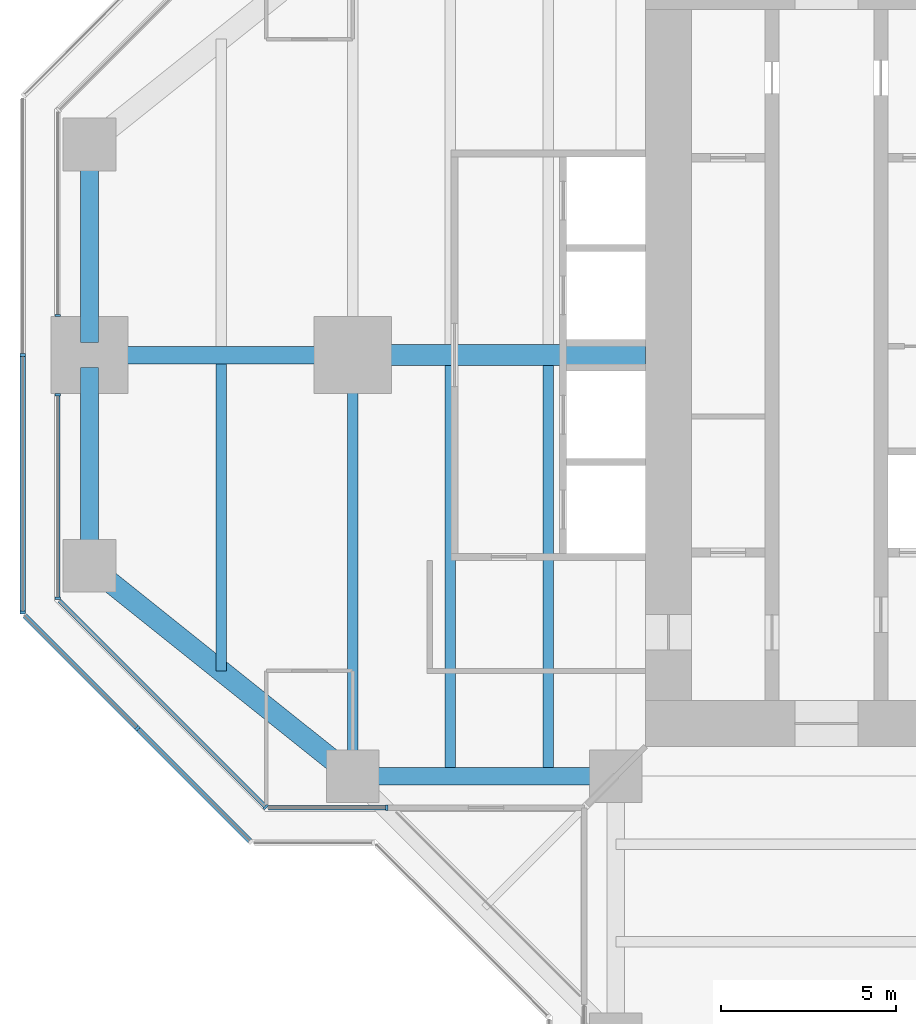
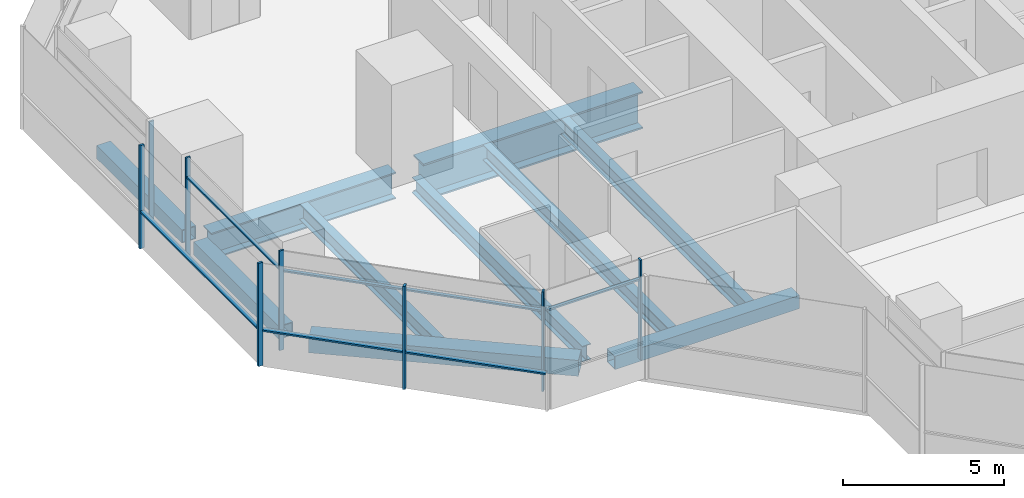
# One storey, part 3 of 17: 14 members, 10 beams, 6 elements without a shape of their own.
"""IFC4 building model written with IfcOpenShell, lengths in metres."""

from ifc_helpers import new_model, si_unit, direction, frame, origin, origin_2d, place, context, subcontext, project, spatial, rectangle, hollow_rectangle, i_section, extrude, material, material_profile, profile_set, type_object, element, aggregate, save


model = new_model("IFC4")

# Units and contexts
model_context = context("Model", 3, precision=1e-05, world=origin(), true_north=direction((0.0, 1.0)))
body_context = subcontext(model_context, "Body", "Model", "MODEL_VIEW")
ifc_project = project(units=[si_unit("LENGTHUNIT", "METRE"), si_unit("AREAUNIT", "SQUARE_METRE"), si_unit("VOLUMEUNIT", "CUBIC_METRE"), si_unit("PLANEANGLEUNIT", "RADIAN"), si_unit("MASSUNIT", "GRAM", prefix="KILO")], contexts=[model_context])

# Site, building, storey
site_placement = place(None, origin())
site = spatial("IfcSite", under=ifc_project, at=site_placement, CompositionType="ELEMENT")
building_placement = place(site_placement, origin())
building = spatial("IfcBuilding", under=site, at=building_placement, Name="Mizan Broadcast Tower", CompositionType="ELEMENT")
storey_placement = place(building_placement, frame((0.0, 0.0, 259.5)))
storey = spatial("IfcBuildingStorey", under=building, at=storey_placement, Name="L61", CompositionType="ELEMENT", Elevation=259.5)

# Beams
ifc_material_1 = material(Name="Steel S355", Category="steel")
ifc_material_profile_1 = material_profile(ifc_material_1, hollow_rectangle(XDim=0.5, YDim=0.5, WallThickness=0.030029296875, at=origin_2d()), Name="BOX 500x500x30")
ifc_profile_set_1 = profile_set([ifc_material_profile_1], Name="Steel S355")
beam_type_1 = type_object("IfcBeamType", Name="EDGE BEAM BOX 500x500x30", PredefinedType="SPANDREL", material=ifc_profile_set_1)
beam_1_placement = place(storey_placement, frame((-27.0, 5.639892578125, -0.3798828125), z_axis=(0.0, -1.0, 0.0), x_axis=(1.0, 0.0, 0.0)))
element("IfcBeam", 1, at=beam_1_placement, inside=storey, type_object=beam_type_1, Name="Edge beam BOX 500x500x30 L61 west arm", PredefinedType="SPANDREL", context=body_context, shape_type="SweptSolid", body=[
    extrude(hollow_rectangle(XDim=0.5, YDim=0.5, WallThickness=0.030029296875, at=origin_2d()), origin(), (0.0, 0.0, 1.0), 5.27978515625),
])
beam_2_placement = place(storey_placement, frame((-12.449951171875, -12.0, -0.3798828125), z_axis=(-1.0, 0.0, 0.0), x_axis=(0.0, -1.0, 0.0)))
element("IfcBeam", 2, at=beam_2_placement, inside=storey, type_object=beam_type_1, Name="Edge beam BOX 500x500x30 L61 west arm", PredefinedType="SPANDREL", context=body_context, shape_type="SweptSolid", body=[
    extrude(hollow_rectangle(XDim=0.5, YDim=0.5, WallThickness=0.030029296875, at=origin_2d()), origin(), (0.0, 0.0, 1.0), 6.60009765625),
])
beam_3_placement = place(storey_placement, frame((-27.0, -5.639892578125, -0.3798828125), z_axis=(0.0, 1.0, 0.0), x_axis=(-1.0, 0.0, 0.0)))
element("IfcBeam", 3, at=beam_3_placement, inside=storey, type_object=beam_type_1, Name="Edge beam BOX 500x500x30 L61 west arm", PredefinedType="SPANDREL", context=body_context, shape_type="SweptSolid", body=[
    extrude(hollow_rectangle(XDim=0.5, YDim=0.5, WallThickness=0.030029296875, at=origin_2d()), origin(), (0.0, 0.0, 1.0), 5.27978515625),
])
ifc_material_2 = material(Name="Steel S355", Category="steel")
ifc_material_profile_2 = material_profile(ifc_material_2, hollow_rectangle(XDim=0.60009765625, YDim=0.60009765625, WallThickness=0.030029296875, at=origin_2d()), Name="BOX 600x600x30")
ifc_profile_set_2 = profile_set([ifc_material_profile_2], Name="Steel S355")
beam_type_2 = type_object("IfcBeamType", Name="EDGE BEAM BOX 600x600x30", PredefinedType="SPANDREL", material=ifc_profile_set_2)
beam_4_placement = place(storey_placement, frame((-19.949951171875, -11.639892578125, -0.429931640625), z_axis=(-0.780885717636, 0.624673911726, 0.0), x_axis=(-0.624673911726, -0.780885717636, 0.0)))
element("IfcBeam", 4, at=beam_4_placement, inside=storey, type_object=beam_type_2, Name="Edge beam BOX 600x600x30 L61 west arm", PredefinedType="SPANDREL", context=body_context, shape_type="SweptSolid", body=[
    extrude(hollow_rectangle(XDim=0.60009765625, YDim=0.60009765625, WallThickness=0.030029296875, at=origin_2d()), origin(), (0.0, 0.0, 1.0), 8.4521484375),
])
ifc_material_3 = material(Name="Steel S355", Category="steel")
ifc_material_profile_3 = material_profile(ifc_material_3, i_section(OverallWidth=0.300048828125, OverallDepth=0.590087890625, WebThickness=0.012939453125, FlangeThickness=0.02490234375, FilletRadius=0.027099609375, at=origin_2d()), Name="HEA 600")
ifc_profile_set_3 = profile_set([ifc_material_profile_3], Name="Steel S355")
beam_type_3 = type_object("IfcBeamType", Name="GIRDER HEA 600", PredefinedType="BEAM", material=ifc_profile_set_3)
beam_5_placement = place(storey_placement, frame((-19.5, -11.280029296875, -0.425048828125), z_axis=(0.0, 1.0, 0.0), x_axis=(-1.0, 0.0, 0.0)))
element("IfcBeam", 5, at=beam_5_placement, inside=storey, type_object=beam_type_3, Name="Girder HEA 600 L61 west arm", PredefinedType="BEAM", context=body_context, shape_type="SweptSolid", body=[
    extrude(i_section(OverallWidth=0.300048828125, OverallDepth=0.590087890625, WebThickness=0.012939453125, FlangeThickness=0.02490234375, FilletRadius=0.027099609375, at=origin_2d()), origin(), (0.0, 0.0, 1.0), 10.56005859375),
])
ifc_material_4 = material(Name="Steel S460", Category="steel")
ifc_material_profile_4 = material_profile(ifc_material_4, i_section(OverallWidth=0.5, OverallDepth=1.0, WebThickness=0.02490234375, FlangeThickness=0.050048828125, at=origin_2d()), Name="WPG 1000x500")
ifc_profile_set_4 = profile_set([ifc_material_profile_4], Name="Steel S460")
beam_type_4 = type_object("IfcBeamType", Name="GIRDER WPG 1000x500", PredefinedType="BEAM", material=ifc_profile_set_4)
beam_6_placement = place(storey_placement, frame((-19.949951171875, 0.0, -0.6298828125), z_axis=(-1.0, 0.0, 0.0), x_axis=(0.0, -1.0, 0.0)))
element("IfcBeam", 6, at=beam_6_placement, inside=storey, type_object=beam_type_4, Name="Girder WPG 1000x500 L61 west arm", PredefinedType="BEAM", context=body_context, shape_type="SweptSolid", body=[
    extrude(i_section(OverallWidth=0.5, OverallDepth=1.0, WebThickness=0.02490234375, FlangeThickness=0.050048828125, at=origin_2d()), origin(), (0.0, 0.0, 1.0), 6.60009765625),
])
ifc_material_5 = material(Name="Steel S460", Category="steel")
ifc_material_profile_5 = material_profile(ifc_material_5, i_section(OverallWidth=0.60009765625, OverallDepth=1.39990234375, WebThickness=0.02490234375, FlangeThickness=0.06005859375, at=origin_2d()), Name="WPG 1400x600")
ifc_profile_set_5 = profile_set([ifc_material_profile_5], Name="Steel S460")
beam_type_5 = type_object("IfcBeamType", Name="GIRDER WPG 1400x600", PredefinedType="BEAM", material=ifc_profile_set_5)
beam_7_placement = place(storey_placement, frame((-11.14990234375, 0.0, -0.830078125), z_axis=(-1.0, 0.0, 0.0), x_axis=(0.0, -1.0, 0.0)))
element("IfcBeam", 7, at=beam_7_placement, inside=storey, type_object=beam_type_5, Name="Girder WPG 1400x600 L61 west arm", PredefinedType="BEAM", context=body_context, shape_type="SweptSolid", body=[
    extrude(i_section(OverallWidth=0.60009765625, OverallDepth=1.39990234375, WebThickness=0.02490234375, FlangeThickness=0.06005859375, at=origin_2d()), origin(), (0.0, 0.0, 1.0), 7.84912109375),
])

# Curtain wall, member
ifc_material_6 = material(Name="Aluminium framed glazing", Category="aluminium")
curtain_wall_type_1 = type_object("IfcCurtainWallType", Name="INNER SKIN HIGH ZONE", PredefinedType="USERDEFINED", material=ifc_material_6)
curtain_wall_1_placement = place(storey_placement, origin())
curtain_wall_1 = element("IfcCurtainWall", 8, at=curtain_wall_1_placement, inside=storey, type_object=curtain_wall_type_1, Name="Inner skin high zone L61 W end", ObjectType="INNER SKIN HIGH ZONE", PredefinedType="USERDEFINED")
ifc_material_7 = material(Name="Aluminium, pale anodised", Category="aluminium")
ifc_material_profile_6 = material_profile(ifc_material_7, rectangle(XDim=0.159912109375, YDim=0.06005859375, at=origin_2d()), Name="MULLION 160x60")
ifc_profile_set_6 = profile_set([ifc_material_profile_6], Name="Aluminium, pale anodised")
member_type_1 = type_object("IfcMemberType", Name="INNER SKIN MULLION 60x160", PredefinedType="MULLION", material=ifc_profile_set_6)
member_1_placement = place(storey_placement, frame((-27.89990234375, 1.1298828125, 0.0), z_axis=(0.0, 0.0, 1.0), x_axis=(1.0, 0.0, 0.0)))
member_1 = element("IfcMember", 9, at=member_1_placement, type_object=member_type_1, Name="Inner skin high zone L61 W end mullion 2", PredefinedType="MULLION", context=body_context, shape_type="SweptSolid", body=[
    extrude(rectangle(XDim=0.159912109375, YDim=0.06005859375, at=origin_2d()), origin(), (0.0, 0.0, 1.0), 3.77001953125),
])
aggregate(curtain_wall_1, [member_1])

# Curtain wall, members
curtain_wall_2_placement = place(storey_placement, origin())
curtain_wall_2 = element("IfcCurtainWall", 10, at=curtain_wall_2_placement, inside=storey, type_object=curtain_wall_type_1, Name="Inner skin high zone L61 W end", ObjectType="INNER SKIN HIGH ZONE", PredefinedType="USERDEFINED")
member_2_placement = place(storey_placement, frame((-27.89990234375, -1.1298828125, 0.0), z_axis=(0.0, 0.0, 1.0), x_axis=(1.0, 0.0, 0.0)))
member_2 = element("IfcMember", 11, at=member_2_placement, type_object=member_type_1, Name="Inner skin high zone L61 W end mullion 1", PredefinedType="MULLION", context=body_context, shape_type="SweptSolid", body=[
    extrude(rectangle(XDim=0.159912109375, YDim=0.06005859375, at=origin_2d()), origin(), (0.0, 0.0, 1.0), 3.77001953125),
])
member_3_placement = place(storey_placement, frame((-27.89990234375, -6.928466796875, 0.0), z_axis=(0.0, 0.0, 1.0), x_axis=(1.0, 0.0, 0.0)))
member_3 = element("IfcMember", 12, at=member_3_placement, type_object=member_type_1, Name="Inner skin high zone L61 W end mullion 2", PredefinedType="MULLION", context=body_context, shape_type="SweptSolid", body=[
    extrude(rectangle(XDim=0.159912109375, YDim=0.06005859375, at=origin_2d()), origin(), (0.0, 0.0, 1.0), 3.77001953125),
])

# Curtain wall, member
curtain_wall_3_placement = place(storey_placement, origin())
curtain_wall_3 = element("IfcCurtainWall", 13, at=curtain_wall_3_placement, inside=storey, type_object=curtain_wall_type_1, Name="Inner skin high zone L61 W chamfer", ObjectType="INNER SKIN HIGH ZONE", PredefinedType="USERDEFINED")
member_4_placement = place(storey_placement, frame((-21.979736328125, -12.87890625, 0.0), z_axis=(0.0, 0.0, 1.0), x_axis=(0.707106781187, 0.707106781187, 0.0)))
member_4 = element("IfcMember", 14, at=member_4_placement, type_object=member_type_1, Name="Inner skin high zone L61 W chamfer mullion 2", PredefinedType="MULLION", context=body_context, shape_type="SweptSolid", body=[
    extrude(rectangle(XDim=0.159912109375, YDim=0.06005859375, at=origin_2d()), origin(), (0.0, 0.0, 1.0), 3.77001953125),
])

curtain_wall_4_placement = place(storey_placement, origin())
curtain_wall_4 = element("IfcCurtainWall", 15, at=curtain_wall_4_placement, inside=storey, type_object=curtain_wall_type_1, Name="Inner skin high zone L61 W side", ObjectType="INNER SKIN HIGH ZONE", PredefinedType="USERDEFINED")
member_5_placement = place(storey_placement, frame((-18.530029296875, -12.89990234375, 0.0), z_axis=(0.0, 0.0, 1.0), x_axis=(0.0, 1.0, 0.0)))
member_5 = element("IfcMember", 16, at=member_5_placement, type_object=member_type_1, Name="Inner skin high zone L61 W side mullion 2", PredefinedType="MULLION", context=body_context, shape_type="SweptSolid", body=[
    extrude(rectangle(XDim=0.159912109375, YDim=0.06005859375, at=origin_2d()), origin(), (0.0, 0.0, 1.0), 3.77001953125),
])

# Member
ifc_material_8 = material(Name="Aluminium, pale anodised", Category="aluminium")
ifc_material_profile_7 = material_profile(ifc_material_8, rectangle(XDim=0.1201171875, YDim=0.06005859375, at=origin_2d()), Name="TRANSOM 120x60")
ifc_profile_set_7 = profile_set([ifc_material_profile_7], Name="Aluminium, pale anodised")
member_type_2 = type_object("IfcMemberType", Name="INNER SKIN TRANSOM 60x120", PredefinedType="USERDEFINED", material=ifc_profile_set_7)
member_6_placement = place(storey_placement, frame((-27.89990234375, -1.159912109375, 3.030029296875), z_axis=(0.0, -1.0, 0.0), x_axis=(1.0, 0.0, 0.0)))
member_6 = element("IfcMember", 17, at=member_6_placement, type_object=member_type_2, Name="Inner skin high zone L61 W end transom 1.1", ObjectType="TRANSOM", PredefinedType="USERDEFINED", context=body_context, shape_type="SweptSolid", body=[
    extrude(rectangle(XDim=0.1201171875, YDim=0.06005859375, at=origin_2d()), origin(), (0.0, 0.0, 1.0), 5.73876953125),
])

aggregate(curtain_wall_2, [member_2, member_3, member_6])

member_7_placement = place(storey_placement, frame((-27.857666015625, -7.0009765625, 3.030029296875), z_axis=(0.707106781187, -0.707106781187, 0.0), x_axis=(0.707106781187, 0.707106781187, 0.0)))
member_7 = element("IfcMember", 18, at=member_7_placement, type_object=member_type_2, Name="Inner skin high zone L61 W chamfer transom 1.1", ObjectType="TRANSOM", PredefinedType="USERDEFINED", context=body_context, shape_type="SweptSolid", body=[
    extrude(rectangle(XDim=0.1201171875, YDim=0.06005859375, at=origin_2d()), origin(), (0.0, 0.0, 1.0), 8.28271484375),
])

aggregate(curtain_wall_3, [member_4, member_7])

member_8_placement = place(storey_placement, frame((-21.898681640625, -12.89990234375, 3.030029296875), z_axis=(1.0, 0.0, 0.0), x_axis=(0.0, 1.0, 0.0)))
member_8 = element("IfcMember", 19, at=member_8_placement, type_object=member_type_2, Name="Inner skin high zone L61 W side transom 1.1", ObjectType="TRANSOM", PredefinedType="USERDEFINED", context=body_context, shape_type="SweptSolid", body=[
    extrude(rectangle(XDim=0.1201171875, YDim=0.06005859375, at=origin_2d()), origin(), (0.0, 0.0, 1.0), 3.338623046875),
])

aggregate(curtain_wall_4, [member_5, member_8])

# Curtain wall, members
ifc_material_9 = material(Name="Aluminium framed glazing", Category="aluminium")
curtain_wall_type_2 = type_object("IfcCurtainWallType", Name="OUTER SKIN", PredefinedType="USERDEFINED", material=ifc_material_9)
curtain_wall_5_placement = place(storey_placement, origin())
curtain_wall_5 = element("IfcCurtainWall", 20, at=curtain_wall_5_placement, inside=storey, type_object=curtain_wall_type_2, Name="Outer skin L61 W end", ObjectType="OUTER SKIN", PredefinedType="USERDEFINED")
ifc_material_10 = material(Name="Aluminium, pale anodised", Category="aluminium")
ifc_material_profile_8 = material_profile(ifc_material_10, rectangle(XDim=0.159912109375, YDim=0.080078125, at=origin_2d()), Name="MULLION 160x80")
ifc_profile_set_8 = profile_set([ifc_material_profile_8], Name="Aluminium, pale anodised")
member_type_3 = type_object("IfcMemberType", Name="OUTER SKIN MULLION 80x160", PredefinedType="MULLION", material=ifc_profile_set_8)
member_9_placement = place(storey_placement, frame((-28.89990234375, 0.0, 0.0), z_axis=(0.0, 0.0, 1.0), x_axis=(1.0, 0.0, 0.0)))
member_9 = element("IfcMember", 21, at=member_9_placement, type_object=member_type_3, Name="Outer skin L61 W end mullion 2", PredefinedType="MULLION", context=body_context, shape_type="SweptSolid", body=[
    extrude(rectangle(XDim=0.159912109375, YDim=0.080078125, at=origin_2d()), origin(), (0.0, 0.0, 1.0), 3.89990234375),
])
member_10_placement = place(storey_placement, frame((-28.89990234375, -7.332763671875, 0.0), z_axis=(0.0, 0.0, 1.0), x_axis=(1.0, 0.0, 0.0)))
member_10 = element("IfcMember", 22, at=member_10_placement, type_object=member_type_3, Name="Outer skin L61 W end mullion 3", PredefinedType="MULLION", context=body_context, shape_type="SweptSolid", body=[
    extrude(rectangle(XDim=0.159912109375, YDim=0.080078125, at=origin_2d()), origin(), (0.0, 0.0, 1.0), 3.89990234375),
])

# Curtain wall, member
curtain_wall_6_placement = place(storey_placement, origin())
curtain_wall_6 = element("IfcCurtainWall", 23, at=curtain_wall_6_placement, inside=storey, type_object=curtain_wall_type_2, Name="Outer skin L61 W chamfer", ObjectType="OUTER SKIN", PredefinedType="USERDEFINED")
member_11_placement = place(storey_placement, frame((-25.636474609375, -10.636474609375, 0.0), z_axis=(0.0, 0.0, 1.0), x_axis=(0.707106781187, 0.707106781187, 0.0)))
member_11 = element("IfcMember", 24, at=member_11_placement, type_object=member_type_3, Name="Outer skin L61 W chamfer mullion 2", PredefinedType="MULLION", context=body_context, shape_type="SweptSolid", body=[
    extrude(rectangle(XDim=0.159912109375, YDim=0.080078125, at=origin_2d()), origin(), (0.0, 0.0, 1.0), 3.89990234375),
])

# Member
ifc_material_11 = material(Name="Aluminium, pale anodised", Category="aluminium")
ifc_material_profile_9 = material_profile(ifc_material_11, rectangle(XDim=0.159912109375, YDim=0.06005859375, at=origin_2d()), Name="TRANSOM 160x60")
ifc_profile_set_9 = profile_set([ifc_material_profile_9], Name="Aluminium, pale anodised")
member_type_4 = type_object("IfcMemberType", Name="OUTER SKIN TRANSOM 60x160", PredefinedType="USERDEFINED", material=ifc_profile_set_9)
member_12_placement = place(storey_placement, frame((-28.89990234375, -0.0400390625, 1.39990234375), z_axis=(0.0, -1.0, 0.0), x_axis=(1.0, 0.0, 0.0)))
member_12 = element("IfcMember", 25, at=member_12_placement, type_object=member_type_4, Name="Outer skin L61 W end transom 2.1", ObjectType="TRANSOM", PredefinedType="USERDEFINED", context=body_context, shape_type="SweptSolid", body=[
    extrude(rectangle(XDim=0.159912109375, YDim=0.06005859375, at=origin_2d()), origin(), (0.0, 0.0, 1.0), 7.252685546875),
])

aggregate(curtain_wall_5, [member_9, member_10, member_12])

member_13_placement = place(storey_placement, frame((-28.843505859375, -7.429443359375, 1.39990234375), z_axis=(0.707106781187, -0.707106781187, 0.0), x_axis=(0.707106781187, 0.707106781187, 0.0)))
member_13 = element("IfcMember", 26, at=member_13_placement, type_object=member_type_4, Name="Outer skin L61 W chamfer transom 1.1", ObjectType="TRANSOM", PredefinedType="USERDEFINED", context=body_context, shape_type="SweptSolid", body=[
    extrude(rectangle(XDim=0.159912109375, YDim=0.06005859375, at=origin_2d()), origin(), (0.0, 0.0, 1.0), 4.495361328125),
])

member_14_placement = place(storey_placement, frame((-25.608154296875, -10.664794921875, 1.39990234375), z_axis=(0.707106781187, -0.707106781187, 0.0), x_axis=(0.707106781187, 0.707106781187, 0.0)))
member_14 = element("IfcMember", 27, at=member_14_placement, type_object=member_type_4, Name="Outer skin L61 W chamfer transom 2.1", ObjectType="TRANSOM", PredefinedType="USERDEFINED", context=body_context, shape_type="SweptSolid", body=[
    extrude(rectangle(XDim=0.159912109375, YDim=0.06005859375, at=origin_2d()), origin(), (0.0, 0.0, 1.0), 4.495361328125),
])

aggregate(curtain_wall_6, [member_11, member_13, member_14])

# Beams
ifc_material_12 = material(Name="Steel S355", Category="steel")
ifc_material_profile_10 = material_profile(ifc_material_12, i_section(OverallWidth=0.300048828125, OverallDepth=0.590087890625, WebThickness=0.012939453125, FlangeThickness=0.02490234375, FilletRadius=0.027099609375, at=origin_2d()), Name="HEA 600")
ifc_profile_set_10 = profile_set([ifc_material_profile_10], Name="Steel S355")
beam_type_6 = type_object("IfcBeamType", Name="SECONDARY BEAM HEA 600", PredefinedType="JOIST", material=ifc_profile_set_10)
for number, where, z_axis, x_axis, name in (
    (28, (-13.933349609375, -12.0, -0.425048828125), (0.0, 1.0, 0.0), (-1.0, 0.0, 0.0), "Secondary beam HEA 600 L61 west arm"),
    (29, (-16.716552734375, -12.0, -0.425048828125), (0.0, 1.0, 0.0), (-1.0, 0.0, 0.0), "Secondary beam HEA 600 L61 west arm"),
):
    element("IfcBeam", number, at=place(storey_placement, frame(where, z_axis=z_axis, x_axis=x_axis)), inside=storey, type_object=beam_type_6, Name=name, PredefinedType="JOIST", context=body_context, shape_type="SweptSolid", body=[
        extrude(i_section(OverallWidth=0.300048828125, OverallDepth=0.590087890625, WebThickness=0.012939453125, FlangeThickness=0.02490234375, FilletRadius=0.027099609375, at=origin_2d()), origin(), (0.0, 0.0, 1.0), 11.699951171875),
    ])
beam_8_placement = place(storey_placement, frame((-23.25, -9.0, -0.425048828125), z_axis=(0.0, 1.0, 0.0), x_axis=(-1.0, 0.0, 0.0)))
element("IfcBeam", 30, at=beam_8_placement, inside=storey, type_object=beam_type_6, Name="Secondary beam HEA 600 L61 west arm", PredefinedType="JOIST", context=body_context, shape_type="SweptSolid", body=[
    extrude(i_section(OverallWidth=0.300048828125, OverallDepth=0.590087890625, WebThickness=0.012939453125, FlangeThickness=0.02490234375, FilletRadius=0.027099609375, at=origin_2d()), origin(), (0.0, 0.0, 1.0), 8.75),
])

save(model, "model.ifc")
